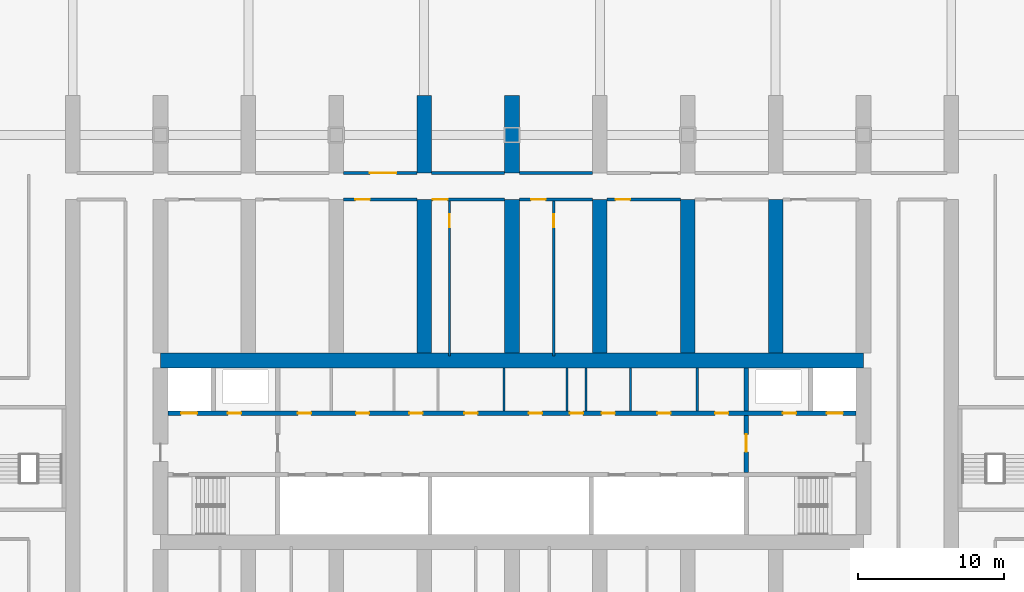
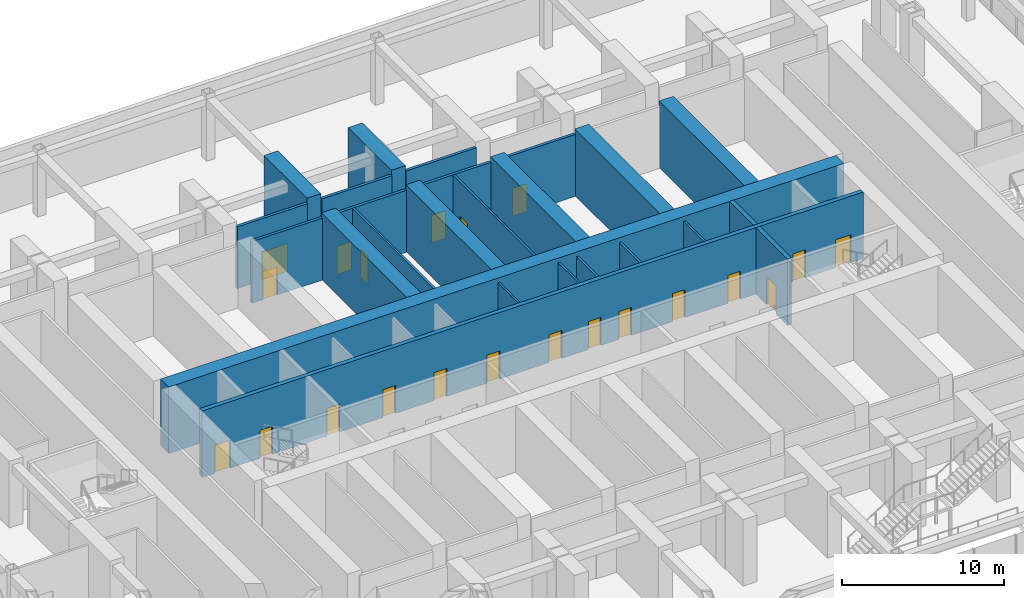
# One storey, part 17 of 37: 25 walls, 21 doors, 21 openings.
"""IFC4 building model written with IfcOpenShell, lengths in metres."""

import ifcopenshell
import ifcopenshell.guid

model = None  # the IFC model being written
_history = None  # IfcOwnerHistory: only IFC2X3 demands one
_inside = {}  # id of a spatial element -> (the spatial element, [elements in it])
_under = {}  # id of a project, library or spatial element -> (it, [spatial elements below it])
_declared = {}  # id of a project -> (the project, [libraries it declares])
_typed = {}  # id of a type object -> (the type object, [elements of that type])
_made_of = {}  # id of a material, layer set ... -> (it, [elements and type objects made of it])


def new_model(schema):
    """Start an empty IFC model of exactly this schema.

    Asked for "IFC4X3", IfcOpenShell would pick the latest addendum, in which some entities
    have other attributes; the version numbers below select the first issue.
    IFC2X3 requires an IfcOwnerHistory on every rooted entity: one is made here for all.
    """
    global model, _history
    if schema == "IFC4X3":
        model = ifcopenshell.file(schema_version=(4, 3, 0, 0))
    else:
        model = ifcopenshell.file(schema=schema)
    _inside.clear()
    _under.clear()
    _declared.clear()
    _typed.clear()
    _made_of.clear()
    _history = None
    if model.schema == "IFC2X3":
        org = make("IfcOrganization", Name="unknown")
        user = make(
            "IfcPersonAndOrganization",
            ThePerson=make("IfcPerson", FamilyName="unknown"),
            TheOrganization=org,
        )
        app = make(
            "IfcApplication",
            ApplicationDeveloper=org,
            Version="unknown",
            ApplicationFullName="unknown",
            ApplicationIdentifier="unknown",
        )
        _history = make(
            "IfcOwnerHistory",
            OwningUser=user,
            OwningApplication=app,
            ChangeAction="ADDED",
            CreationDate=0,
        )
    return model


def make(cls, **values):
    """One entity of the class cls with the attributes given. An attribute that is None is left unset."""
    return model.create_entity(
        cls, **{name: value for name, value in values.items() if value is not None}
    )


def rooted(cls, **values):
    """An entity with a GlobalId (a new one), such as an element, a storey or a relation."""
    return make(cls, GlobalId=ifcopenshell.guid.new(), OwnerHistory=_history, **values)


def si_unit(unit_type, name, prefix=None):
    """IfcSIUnit, for example si_unit("LENGTHUNIT", "METRE", prefix="MILLI")."""
    return make("IfcSIUnit", UnitType=unit_type, Prefix=prefix, Name=name)


def assignment(units):
    """IfcUnitAssignment: the units of a project."""
    return None if units is None else make("IfcUnitAssignment", Units=units)


def point(xyz):
    """IfcCartesianPoint."""
    return None if xyz is None else make("IfcCartesianPoint", Coordinates=xyz)


def direction(xyz):
    """IfcDirection."""
    return None if xyz is None else make("IfcDirection", DirectionRatios=xyz)


def frame(location, z_axis=None, x_axis=None):
    """IfcAxis2Placement3D, a coordinate frame: its origin and axes. An axis left out is left unset."""
    return make(
        "IfcAxis2Placement3D",
        Location=point(location),
        Axis=direction(z_axis),
        RefDirection=direction(x_axis),
    )


def frame_2d(location, x_axis=None):
    """IfcAxis2Placement2D, a coordinate frame in the plane: its origin and x axis."""
    return make(
        "IfcAxis2Placement2D", Location=point(location), RefDirection=direction(x_axis)
    )


def origin():
    """The frame at (0, 0, 0) with its axes left unset."""
    return frame((0.0, 0.0, 0.0))


def place(relative_to, where):
    """IfcLocalPlacement: puts the frame where relative to a parent placement (None: the world)."""
    return make(
        "IfcLocalPlacement", PlacementRelTo=relative_to, RelativePlacement=where
    )


def context(
    kind, dimensions, precision=None, world=None, true_north=None, identifier=None
):
    """IfcGeometricRepresentationContext, for example the 3D "Model" context."""
    return make(
        "IfcGeometricRepresentationContext",
        ContextIdentifier=identifier,
        ContextType=kind,
        CoordinateSpaceDimension=dimensions,
        Precision=precision,
        WorldCoordinateSystem=world,
        TrueNorth=true_north,
    )


def subcontext(parent, identifier, kind, view, scale=None):
    """IfcGeometricRepresentationSubContext, for example "Body" below "Model"."""
    return make(
        "IfcGeometricRepresentationSubContext",
        ContextIdentifier=identifier,
        ContextType=kind,
        ParentContext=parent,
        TargetScale=scale,
        TargetView=view,
    )


def project(units=None, contexts=None):
    """IfcProject with its units and contexts."""
    return rooted(
        "IfcProject",
        Name="project",
        RepresentationContexts=contexts,
        UnitsInContext=assignment(units),
    )


def spatial(cls, under=None, at=None, **own):
    """A site, building, storey or space (cls), placed at a placement, below another one or the project."""
    s = rooted(cls, ObjectPlacement=at, **own)
    if under is not None:
        _under.setdefault(under.id(), (under, []))[1].append(s)
    return s


def profile(cls, at=None, kind="AREA", **sizes):
    """A parametric profile (cls). Its sizes go by their IFC names, for example OverallWidth=200.0."""
    return make(cls, ProfileType=kind, Position=at, **sizes)


def rectangle(**sizes):
    """IfcRectangleProfileDef."""
    return profile("IfcRectangleProfileDef", **sizes)


def extrude(swept, where, along, depth):
    """IfcExtrudedAreaSolid: the profile swept, set in the frame where, extruded along a direction by depth."""
    return make(
        "IfcExtrudedAreaSolid",
        SweptArea=swept,
        Position=where,
        ExtrudedDirection=direction(along),
        Depth=depth,
    )


def shape(context_of_items, identifier, shape_type, items):
    """IfcShapeRepresentation: the items that make up one representation, for example the "Body"."""
    return make(
        "IfcShapeRepresentation",
        ContextOfItems=context_of_items,
        RepresentationIdentifier=identifier,
        RepresentationType=shape_type,
        Items=items,
    )


def material(Name=None, Category=None):
    """IfcMaterial."""
    return make("IfcMaterial", Name=Name, Category=Category)


def layer(
    of_material, thickness, ventilated=None, Name=None, Category=None, Priority=None
):
    """IfcMaterialLayer: one layer of a wall or slab, of a material (None: an air gap)."""
    return make(
        "IfcMaterialLayer",
        Material=of_material,
        LayerThickness=thickness,
        IsVentilated=ventilated,
        Name=Name,
        Category=Category,
        Priority=Priority,
    )


def layer_set(layers, Name=None):
    """IfcMaterialLayerSet."""
    return make("IfcMaterialLayerSet", MaterialLayers=layers, LayerSetName=Name)


def made_of(thing, what):
    """Note that an element or type object is made of a material, layer set ...; save() writes the relation."""
    if what is not None:
        _made_of.setdefault(what.id(), (what, []))[1].append(thing)
    return thing


def type_object(cls, material=None, **own):
    """A type object (cls), such as IfcWallType, which elements share."""
    return made_of(rooted(cls, **own), material)


def element(
    cls,
    number,
    at=None,
    inside=None,
    cuts=None,
    type_object=None,
    material=None,
    context=None,
    identifier="Body",
    shape_type=None,
    held_by="IfcProductDefinitionShape",
    body=None,
    shapes=None,
    **own,
):
    """One element of the class cls, such as IfcWall. Its Tag is "e" and its number.

    at: its placement. inside: the storey or other place that contains it. cuts: it is an
    opening in that element (IfcRelVoidsElement). A single representation is given by context,
    identifier, shape_type and body (its items); several are given by shapes. held_by: the class
    of the entity that holds the representations. save() writes the other relations.
    """
    e = rooted(cls, Tag="e%d" % number, ObjectPlacement=at, **own)
    if body is not None:
        shapes = [shape(context, identifier, shape_type, body)]
    if shapes is not None:
        e.Representation = make(held_by, Representations=shapes)
    if inside is not None:
        _inside.setdefault(inside.id(), (inside, []))[1].append(e)
    if cuts is not None:
        rooted(
            "IfcRelVoidsElement", RelatingBuildingElement=cuts, RelatedOpeningElement=e
        )
    if type_object is not None:
        _typed.setdefault(type_object.id(), (type_object, []))[1].append(e)
    return made_of(e, material)


def fill(opening, filler):
    """IfcRelFillsElement: the door or window that sits in an opening."""
    return rooted(
        "IfcRelFillsElement",
        RelatingOpeningElement=opening,
        RelatedBuildingElement=filler,
    )


def aggregate(whole, parts):
    """IfcRelAggregates: a whole, such as a stair, and the parts it consists of."""
    return rooted("IfcRelAggregates", RelatingObject=whole, RelatedObjects=parts)


def save(model, path):
    """Write the relations noted so far, then the file.

    IfcRelAggregates (storeys below a building ...), IfcRelContainedInSpatialStructure (elements
    in a storey), IfcRelDefinesByType, IfcRelAssociatesMaterial and IfcRelDeclares: one each for
    every whole, place, type object, material and project.
    """
    for whole, parts in _under.values():
        aggregate(whole, parts)
    for where, things in _inside.values():
        rooted(
            "IfcRelContainedInSpatialStructure",
            RelatedElements=things,
            RelatingStructure=where,
        )
    for kind, things in _typed.values():
        rooted("IfcRelDefinesByType", RelatedObjects=things, RelatingType=kind)
    for what, things in _made_of.values():
        rooted("IfcRelAssociatesMaterial", RelatedObjects=things, RelatingMaterial=what)
    for by, libraries in _declared.values():
        rooted("IfcRelDeclares", RelatingContext=by, RelatedDefinitions=libraries)
    model.write(path)


model = new_model("IFC4")

# Units and contexts
model_context = context("Model", 3, precision=1e-05, world=origin(), true_north=direction((0.0, 1.0)))
body_context = subcontext(model_context, "Body", "Model", "MODEL_VIEW")
ifc_project = project(units=[si_unit("LENGTHUNIT", "METRE"), si_unit("AREAUNIT", "SQUARE_METRE"), si_unit("VOLUMEUNIT", "CUBIC_METRE"), si_unit("PLANEANGLEUNIT", "RADIAN"), si_unit("MASSUNIT", "GRAM", prefix="KILO")], contexts=[model_context])

# Site, building, storey
site_placement = place(None, origin())
site = spatial("IfcSite", under=ifc_project, at=site_placement, CompositionType="ELEMENT")
building_placement = place(site_placement, origin())
building = spatial("IfcBuilding", under=site, at=building_placement, Name="Orbita Commons", CompositionType="ELEMENT")
storey_placement = place(building_placement, frame((0.0, 0.0, 6.0)))
storey = spatial("IfcBuildingStorey", under=building, at=storey_placement, Name="L01", CompositionType="ELEMENT", Elevation=6.0)

# Wall, openings, doors
ifc_material_1 = material(Name="Concrete C50/60", Category="concrete")
ifc_layer_1 = layer(ifc_material_1, 0.300048828125)
ifc_layer_set_1 = layer_set([ifc_layer_1], Name="Concrete C50/60")
wall_type_1 = type_object("IfcWallType", Name="Core inner wall 300 C50/60", PredefinedType="SHEAR", material=ifc_layer_set_1)
wall_1_placement = place(storey_placement, frame((18.5, 34.60009765625, 0.0), z_axis=(0.0, 0.0, 1.0), x_axis=(1.0, 0.0, 0.0)))
wall_1 = element("IfcWall", 1, at=wall_1_placement, inside=storey, type_object=wall_type_1, Name="Lobby wall north L01", PredefinedType="SHEAR", context=body_context, shape_type="SweptSolid", body=[
    extrude(rectangle(XDim=47.0, YDim=0.300048828125, at=frame_2d((23.5, 0.0))), origin(), (0.0, 0.0, 1.0), 5.0),
])
opening_1_placement = place(wall_1_placement, frame((0.89990234375, 0.0, 0.0)))
opening_1 = element("IfcOpeningElement", 2, at=opening_1_placement, cuts=wall_1, Name="Opening LD01", PredefinedType="OPENING", context=body_context, shape_type="SweptSolid", body=[
    extrude(rectangle(XDim=1.10009765625, YDim=2.10009765625, at=frame_2d((0.550048828125, 1.050048828125))), frame((0.0, 0.159912109375, 0.0), z_axis=(0.0, -1.0, 0.0), x_axis=(1.0, 0.0, 0.0)), (0.0, 0.0, 1.0), 0.320068359375),
])
opening_2_placement = place(wall_1_placement, frame((45.0, 0.0, 0.0)))
opening_2 = element("IfcOpeningElement", 3, at=opening_2_placement, cuts=wall_1, Name="Opening LD01", PredefinedType="OPENING", context=body_context, shape_type="SweptSolid", body=[
    extrude(rectangle(XDim=1.10009765625, YDim=2.10009765625, at=frame_2d((0.550048828125, 1.050048828125))), frame((0.0, 0.159912109375, 0.0), z_axis=(0.0, -1.0, 0.0), x_axis=(1.0, 0.0, 0.0)), (0.0, 0.0, 1.0), 0.320068359375),
])
opening_3_placement = place(wall_1_placement, frame((4.10009765625, 0.0, 0.0)))
opening_3 = element("IfcOpeningElement", 4, at=opening_3_placement, cuts=wall_1, Name="Opening D03", PredefinedType="OPENING", context=body_context, shape_type="SweptSolid", body=[
    extrude(rectangle(XDim=0.89990234375, YDim=2.10009765625, at=frame_2d((0.449951171875, 1.050048828125))), frame((0.0, 0.159912109375, 0.0), z_axis=(0.0, -1.0, 0.0), x_axis=(1.0, 0.0, 0.0)), (0.0, 0.0, 1.0), 0.320068359375),
])
opening_4_placement = place(wall_1_placement, frame((42.0, 0.0, 0.0)))
opening_4 = element("IfcOpeningElement", 5, at=opening_4_placement, cuts=wall_1, Name="Opening D03", PredefinedType="OPENING", context=body_context, shape_type="SweptSolid", body=[
    extrude(rectangle(XDim=0.89990234375, YDim=2.10009765625, at=frame_2d((0.449951171875, 1.050048828125))), frame((0.0, 0.159912109375, 0.0), z_axis=(0.0, -1.0, 0.0), x_axis=(1.0, 0.0, 0.0)), (0.0, 0.0, 1.0), 0.320068359375),
])
opening_5_placement = place(wall_1_placement, frame((8.87548828125, 0.0, 0.0)))
opening_5 = element("IfcOpeningElement", 6, at=opening_5_placement, cuts=wall_1, Name="Opening D03", PredefinedType="OPENING", context=body_context, shape_type="SweptSolid", body=[
    extrude(rectangle(XDim=0.89990234375, YDim=2.10009765625, at=frame_2d((0.449951171875, 1.050048828125))), frame((0.0, 0.159912109375, 0.0), z_axis=(0.0, -1.0, 0.0), x_axis=(1.0, 0.0, 0.0)), (0.0, 0.0, 1.0), 0.320068359375),
])
opening_6_placement = place(wall_1_placement, frame((12.8486328125, 0.0, 0.0)))
opening_6 = element("IfcOpeningElement", 7, at=opening_6_placement, cuts=wall_1, Name="Opening D03", PredefinedType="OPENING", context=body_context, shape_type="SweptSolid", body=[
    extrude(rectangle(XDim=0.89990234375, YDim=2.10009765625, at=frame_2d((0.449951171875, 1.050048828125))), frame((0.0, 0.159912109375, 0.0), z_axis=(0.0, -1.0, 0.0), x_axis=(1.0, 0.0, 0.0)), (0.0, 0.0, 1.0), 0.320068359375),
])
opening_7_placement = place(wall_1_placement, frame((16.496337890625, 0.0, 0.0)))
opening_7 = element("IfcOpeningElement", 8, at=opening_7_placement, cuts=wall_1, Name="Opening D03", PredefinedType="OPENING", context=body_context, shape_type="SweptSolid", body=[
    extrude(rectangle(XDim=0.89990234375, YDim=2.10009765625, at=frame_2d((0.449951171875, 1.050048828125))), frame((0.0, 0.159912109375, 0.0), z_axis=(0.0, -1.0, 0.0), x_axis=(1.0, 0.0, 0.0)), (0.0, 0.0, 1.0), 0.320068359375),
])
opening_8_placement = place(wall_1_placement, frame((20.254638671875, 0.0, 0.0)))
opening_8 = element("IfcOpeningElement", 9, at=opening_8_placement, cuts=wall_1, Name="Opening D05", PredefinedType="OPENING", context=body_context, shape_type="SweptSolid", body=[
    extrude(rectangle(XDim=0.89990234375, YDim=2.10009765625, at=frame_2d((0.449951171875, 1.050048828125))), frame((0.0, 0.159912109375, 0.0), z_axis=(0.0, -1.0, 0.0), x_axis=(1.0, 0.0, 0.0)), (0.0, 0.0, 1.0), 0.320068359375),
])
opening_9_placement = place(wall_1_placement, frame((24.66064453125, 0.0, 0.0)))
opening_9 = element("IfcOpeningElement", 10, at=opening_9_placement, cuts=wall_1, Name="Opening D03", PredefinedType="OPENING", context=body_context, shape_type="SweptSolid", body=[
    extrude(rectangle(XDim=0.89990234375, YDim=2.10009765625, at=frame_2d((0.449951171875, 1.050048828125))), frame((0.0, 0.159912109375, 0.0), z_axis=(0.0, -1.0, 0.0), x_axis=(1.0, 0.0, 0.0)), (0.0, 0.0, 1.0), 0.320068359375),
])
opening_10_placement = place(wall_1_placement, frame((27.45849609375, 0.0, 0.0)))
opening_10 = element("IfcOpeningElement", 11, at=opening_10_placement, cuts=wall_1, Name="Opening D03", PredefinedType="OPENING", context=body_context, shape_type="SweptSolid", body=[
    extrude(rectangle(XDim=0.89990234375, YDim=2.10009765625, at=frame_2d((0.449951171875, 1.050048828125))), frame((0.0, 0.159912109375, 0.0), z_axis=(0.0, -1.0, 0.0), x_axis=(1.0, 0.0, 0.0)), (0.0, 0.0, 1.0), 0.320068359375),
])
opening_11_placement = place(wall_1_placement, frame((29.628173828125, 0.0, 0.0)))
opening_11 = element("IfcOpeningElement", 12, at=opening_11_placement, cuts=wall_1, Name="Opening D05", PredefinedType="OPENING", context=body_context, shape_type="SweptSolid", body=[
    extrude(rectangle(XDim=0.89990234375, YDim=2.10009765625, at=frame_2d((0.449951171875, 1.050048828125))), frame((0.0, 0.159912109375, 0.0), z_axis=(0.0, -1.0, 0.0), x_axis=(1.0, 0.0, 0.0)), (0.0, 0.0, 1.0), 0.320068359375),
])
opening_12_placement = place(wall_1_placement, frame((33.42724609375, 0.0, 0.0)))
opening_12 = element("IfcOpeningElement", 13, at=opening_12_placement, cuts=wall_1, Name="Opening D05", PredefinedType="OPENING", context=body_context, shape_type="SweptSolid", body=[
    extrude(rectangle(XDim=0.89990234375, YDim=2.10009765625, at=frame_2d((0.449951171875, 1.050048828125))), frame((0.0, 0.159912109375, 0.0), z_axis=(0.0, -1.0, 0.0), x_axis=(1.0, 0.0, 0.0)), (0.0, 0.0, 1.0), 0.320068359375),
])
opening_13_placement = place(wall_1_placement, frame((37.37841796875, 0.0, 0.0)))
opening_13 = element("IfcOpeningElement", 14, at=opening_13_placement, cuts=wall_1, Name="Opening D03", PredefinedType="OPENING", context=body_context, shape_type="SweptSolid", body=[
    extrude(rectangle(XDim=0.89990234375, YDim=2.10009765625, at=frame_2d((0.449951171875, 1.050048828125))), frame((0.0, 0.159912109375, 0.0), z_axis=(0.0, -1.0, 0.0), x_axis=(1.0, 0.0, 0.0)), (0.0, 0.0, 1.0), 0.320068359375),
])
ifc_material_2 = material(Name="Steel-faced fire door leaf", Category="steel")
door_type_1 = type_object("IfcDoorType", Name="Firefighting lift landing door 1100x2100", OperationType="DOUBLE_DOOR_SLIDING", PredefinedType="DOOR", material=ifc_material_2)
door_1_placement = place(opening_1_placement, origin())
door_1 = element("IfcDoor", 15, at=door_1_placement, inside=storey, type_object=door_type_1, Name="Firefighting lift FL1 landing door", OperationType="DOUBLE_DOOR_SLIDING", OverallHeight=2.10009765625, OverallWidth=1.10009765625, PredefinedType="DOOR", context=body_context, shape_type="SweptSolid", body=[
    extrude(rectangle(XDim=1.10009765625, YDim=2.10009765625, at=frame_2d((0.550048828125, 1.050048828125))), frame((0.0, 0.02490234375, 0.0), z_axis=(0.0, -1.0, 0.0), x_axis=(1.0, 0.0, 0.0)), (0.0, 0.0, 1.0), 0.050048828125),
])
fill(opening_1, door_1)
door_2_placement = place(opening_2_placement, origin())
door_2 = element("IfcDoor", 16, at=door_2_placement, inside=storey, type_object=door_type_1, Name="Firefighting lift FL2 landing door", OperationType="DOUBLE_DOOR_SLIDING", OverallHeight=2.10009765625, OverallWidth=1.10009765625, PredefinedType="DOOR", context=body_context, shape_type="SweptSolid", body=[
    extrude(rectangle(XDim=1.10009765625, YDim=2.10009765625, at=frame_2d((0.550048828125, 1.050048828125))), frame((0.0, 0.02490234375, 0.0), z_axis=(0.0, -1.0, 0.0), x_axis=(1.0, 0.0, 0.0)), (0.0, 0.0, 1.0), 0.050048828125),
])
fill(opening_2, door_2)
ifc_material_3 = material(Name="Steel-faced fire door leaf", Category="steel")
door_type_2 = type_object("IfcDoorType", Name="Service door 20 min 900x2100", OperationType="SINGLE_SWING_LEFT", PredefinedType="DOOR", material=ifc_material_3)
door_3_placement = place(opening_8_placement, origin())
door_3 = element("IfcDoor", 17, at=door_3_placement, inside=storey, type_object=door_type_2, Name="Accessible WC door", OperationType="SINGLE_SWING_LEFT", OverallHeight=2.10009765625, OverallWidth=0.89990234375, PredefinedType="DOOR", context=body_context, shape_type="SweptSolid", body=[
    extrude(rectangle(XDim=0.89990234375, YDim=2.10009765625, at=frame_2d((0.449951171875, 1.050048828125))), frame((0.0, 0.02490234375, 0.0), z_axis=(0.0, -1.0, 0.0), x_axis=(1.0, 0.0, 0.0)), (0.0, 0.0, 1.0), 0.050048828125),
])
fill(opening_8, door_3)
door_4_placement = place(opening_11_placement, origin())
door_4 = element("IfcDoor", 18, at=door_4_placement, inside=storey, type_object=door_type_2, Name="Staff WC door", OperationType="SINGLE_SWING_LEFT", OverallHeight=2.10009765625, OverallWidth=0.89990234375, PredefinedType="DOOR", context=body_context, shape_type="SweptSolid", body=[
    extrude(rectangle(XDim=0.89990234375, YDim=2.10009765625, at=frame_2d((0.449951171875, 1.050048828125))), frame((0.0, 0.02490234375, 0.0), z_axis=(0.0, -1.0, 0.0), x_axis=(1.0, 0.0, 0.0)), (0.0, 0.0, 1.0), 0.050048828125),
])
fill(opening_11, door_4)
door_5_placement = place(opening_12_placement, origin())
door_5 = element("IfcDoor", 19, at=door_5_placement, inside=storey, type_object=door_type_2, Name="Vending and ice room door", OperationType="SINGLE_SWING_LEFT", OverallHeight=2.10009765625, OverallWidth=0.89990234375, PredefinedType="DOOR", context=body_context, shape_type="SweptSolid", body=[
    extrude(rectangle(XDim=0.89990234375, YDim=2.10009765625, at=frame_2d((0.449951171875, 1.050048828125))), frame((0.0, 0.02490234375, 0.0), z_axis=(0.0, -1.0, 0.0), x_axis=(1.0, 0.0, 0.0)), (0.0, 0.0, 1.0), 0.050048828125),
])
fill(opening_12, door_5)
ifc_material_4 = material(Name="Steel-faced fire door leaf", Category="steel")
door_type_3 = type_object("IfcDoorType", Name="Shaft access door 90 min 900x2100", OperationType="SINGLE_SWING_LEFT", PredefinedType="DOOR", material=ifc_material_4)
door_6_placement = place(opening_3_placement, origin())
door_6 = element("IfcDoor", 20, at=door_6_placement, inside=storey, type_object=door_type_3, Name="Riser door west", OperationType="SINGLE_SWING_LEFT", OverallHeight=2.10009765625, OverallWidth=0.89990234375, PredefinedType="DOOR", context=body_context, shape_type="SweptSolid", body=[
    extrude(rectangle(XDim=0.89990234375, YDim=2.10009765625, at=frame_2d((0.449951171875, 1.050048828125))), frame((0.0, 0.02490234375, 0.0), z_axis=(0.0, -1.0, 0.0), x_axis=(1.0, 0.0, 0.0)), (0.0, 0.0, 1.0), 0.050048828125),
])
fill(opening_3, door_6)
door_7_placement = place(opening_4_placement, origin())
door_7 = element("IfcDoor", 21, at=door_7_placement, inside=storey, type_object=door_type_3, Name="Riser door east", OperationType="SINGLE_SWING_LEFT", OverallHeight=2.10009765625, OverallWidth=0.89990234375, PredefinedType="DOOR", context=body_context, shape_type="SweptSolid", body=[
    extrude(rectangle(XDim=0.89990234375, YDim=2.10009765625, at=frame_2d((0.449951171875, 1.050048828125))), frame((0.0, 0.02490234375, 0.0), z_axis=(0.0, -1.0, 0.0), x_axis=(1.0, 0.0, 0.0)), (0.0, 0.0, 1.0), 0.050048828125),
])
fill(opening_4, door_7)
door_8_placement = place(opening_5_placement, origin())
door_8 = element("IfcDoor", 22, at=door_8_placement, inside=storey, type_object=door_type_3, Name="Cleaners store door", OperationType="SINGLE_SWING_LEFT", OverallHeight=2.10009765625, OverallWidth=0.89990234375, PredefinedType="DOOR", context=body_context, shape_type="SweptSolid", body=[
    extrude(rectangle(XDim=0.89990234375, YDim=2.10009765625, at=frame_2d((0.449951171875, 1.050048828125))), frame((0.0, 0.02490234375, 0.0), z_axis=(0.0, -1.0, 0.0), x_axis=(1.0, 0.0, 0.0)), (0.0, 0.0, 1.0), 0.050048828125),
])
fill(opening_5, door_8)
door_9_placement = place(opening_6_placement, origin())
door_9 = element("IfcDoor", 23, at=door_9_placement, inside=storey, type_object=door_type_3, Name="Refuse chute room door", OperationType="SINGLE_SWING_LEFT", OverallHeight=2.10009765625, OverallWidth=0.89990234375, PredefinedType="DOOR", context=body_context, shape_type="SweptSolid", body=[
    extrude(rectangle(XDim=0.89990234375, YDim=2.10009765625, at=frame_2d((0.449951171875, 1.050048828125))), frame((0.0, 0.02490234375, 0.0), z_axis=(0.0, -1.0, 0.0), x_axis=(1.0, 0.0, 0.0)), (0.0, 0.0, 1.0), 0.050048828125),
])
fill(opening_6, door_9)
door_10_placement = place(opening_7_placement, origin())
door_10 = element("IfcDoor", 24, at=door_10_placement, inside=storey, type_object=door_type_3, Name="Electrical riser room door", OperationType="SINGLE_SWING_LEFT", OverallHeight=2.10009765625, OverallWidth=0.89990234375, PredefinedType="DOOR", context=body_context, shape_type="SweptSolid", body=[
    extrude(rectangle(XDim=0.89990234375, YDim=2.10009765625, at=frame_2d((0.449951171875, 1.050048828125))), frame((0.0, 0.02490234375, 0.0), z_axis=(0.0, -1.0, 0.0), x_axis=(1.0, 0.0, 0.0)), (0.0, 0.0, 1.0), 0.050048828125),
])
fill(opening_7, door_10)
door_11_placement = place(opening_9_placement, origin())
door_11 = element("IfcDoor", 25, at=door_11_placement, inside=storey, type_object=door_type_3, Name="Communications room door", OperationType="SINGLE_SWING_LEFT", OverallHeight=2.10009765625, OverallWidth=0.89990234375, PredefinedType="DOOR", context=body_context, shape_type="SweptSolid", body=[
    extrude(rectangle(XDim=0.89990234375, YDim=2.10009765625, at=frame_2d((0.449951171875, 1.050048828125))), frame((0.0, 0.02490234375, 0.0), z_axis=(0.0, -1.0, 0.0), x_axis=(1.0, 0.0, 0.0)), (0.0, 0.0, 1.0), 0.050048828125),
])
fill(opening_9, door_11)
door_12_placement = place(opening_10_placement, origin())
door_12 = element("IfcDoor", 26, at=door_12_placement, inside=storey, type_object=door_type_3, Name="Stair pressurisation duct door", OperationType="SINGLE_SWING_LEFT", OverallHeight=2.10009765625, OverallWidth=0.89990234375, PredefinedType="DOOR", context=body_context, shape_type="SweptSolid", body=[
    extrude(rectangle(XDim=0.89990234375, YDim=2.10009765625, at=frame_2d((0.449951171875, 1.050048828125))), frame((0.0, 0.02490234375, 0.0), z_axis=(0.0, -1.0, 0.0), x_axis=(1.0, 0.0, 0.0)), (0.0, 0.0, 1.0), 0.050048828125),
])
fill(opening_10, door_12)
door_13_placement = place(opening_13_placement, origin())
door_13 = element("IfcDoor", 27, at=door_13_placement, inside=storey, type_object=door_type_3, Name="Housekeeping store door", OperationType="SINGLE_SWING_LEFT", OverallHeight=2.10009765625, OverallWidth=0.89990234375, PredefinedType="DOOR", context=body_context, shape_type="SweptSolid", body=[
    extrude(rectangle(XDim=0.89990234375, YDim=2.10009765625, at=frame_2d((0.449951171875, 1.050048828125))), frame((0.0, 0.02490234375, 0.0), z_axis=(0.0, -1.0, 0.0), x_axis=(1.0, 0.0, 0.0)), (0.0, 0.0, 1.0), 0.050048828125),
])
fill(opening_13, door_13)

# Wall, opening, door
wall_2_placement = place(storey_placement, frame((58.0, 30.550048828125, 0.0), z_axis=(0.0, 0.0, 1.0), x_axis=(0.0, 1.0, 0.0)))
wall_2 = element("IfcWall", 28, at=wall_2_placement, inside=storey, type_object=wall_type_1, Name="Firefighting lobby wall east L01", PredefinedType="SHEAR", context=body_context, shape_type="SweptSolid", body=[
    extrude(rectangle(XDim=3.89990234375, YDim=0.300048828125, at=frame_2d((1.949951171875, 0.0))), origin(), (0.0, 0.0, 1.0), 5.0),
])
opening_14_placement = place(wall_2_placement, frame((1.39990234375, 0.0, 0.0)))
opening_14 = element("IfcOpeningElement", 29, at=opening_14_placement, cuts=wall_2, Name="Opening D04", PredefinedType="OPENING", context=body_context, shape_type="SweptSolid", body=[
    extrude(rectangle(XDim=1.199951171875, YDim=2.10009765625, at=frame_2d((0.60009765625, 1.050048828125))), frame((0.0, 0.159912109375, 0.0), z_axis=(0.0, -1.0, 0.0), x_axis=(1.0, 0.0, 0.0)), (0.0, 0.0, 1.0), 0.320068359375),
])
ifc_material_5 = material(Name="Steel-faced fire door leaf", Category="steel")
door_type_4 = type_object("IfcDoorType", Name="Service door 20 min 1200x2100", OperationType="SINGLE_SWING_LEFT", PredefinedType="DOOR", material=ifc_material_5)
door_14_placement = place(opening_14_placement, origin())
door_14 = element("IfcDoor", 30, at=door_14_placement, inside=storey, type_object=door_type_4, Name="Lift lobby door east", OperationType="SINGLE_SWING_LEFT", OverallHeight=2.10009765625, OverallWidth=1.199951171875, PredefinedType="DOOR", context=body_context, shape_type="SweptSolid", body=[
    extrude(rectangle(XDim=1.199951171875, YDim=2.10009765625, at=frame_2d((0.60009765625, 1.050048828125))), frame((0.0, 0.02490234375, 0.0), z_axis=(0.0, -1.0, 0.0), x_axis=(1.0, 0.0, 0.0)), (0.0, 0.0, 1.0), 0.050048828125),
])
fill(opening_14, door_14)

# Walls
wall_3_placement = place(storey_placement, frame((58.0, 34.75, 0.0), z_axis=(0.0, 0.0, 1.0), x_axis=(0.0, 1.0, 0.0)))
element("IfcWall", 31, at=wall_3_placement, inside=storey, type_object=wall_type_1, Name="Riser wall east L01", PredefinedType="SHEAR", context=body_context, shape_type="SweptSolid", body=[
    extrude(rectangle(XDim=2.949951171875, YDim=0.300048828125, at=frame_2d((1.47509765625, 0.0))), origin(), (0.0, 0.0, 1.0), 5.0),
])
ifc_material_6 = material(Name="Concrete blockwork", Category="masonry")
ifc_layer_2 = layer(ifc_material_6, 0.14990234375)
ifc_layer_set_2 = layer_set([ifc_layer_2], Name="Concrete blockwork")
wall_type_2 = type_object("IfcWallType", Name="Core partition 150 blockwork", PredefinedType="SOLIDWALL", material=ifc_layer_set_2)
for number, where, z_axis, x_axis, name in (
    (32, (41.463134765625, 34.75, 0.0), (0.0, 0.0, 1.0), (0.0, 1.0, 0.0), "Core partition 150 blockwork L01"),
    (33, (45.75830078125, 34.75, 0.0), (0.0, 0.0, 1.0), (0.0, 1.0, 0.0), "Core partition 150 blockwork L01"),
    (34, (47.058349609375, 34.75, 0.0), (0.0, 0.0, 1.0), (0.0, 1.0, 0.0), "Core partition 150 blockwork L01"),
    (35, (50.09765625, 34.75, 0.0), (0.0, 0.0, 1.0), (0.0, 1.0, 0.0), "Core partition 150 blockwork L01"),
    (36, (54.65673828125, 34.75, 0.0), (0.0, 0.0, 1.0), (0.0, 1.0, 0.0), "Core partition 150 blockwork L01"),
):
    element("IfcWall", number, at=place(storey_placement, frame(where, z_axis=z_axis, x_axis=x_axis)), inside=storey, type_object=wall_type_2, Name=name, PredefinedType="SOLIDWALL", context=body_context, shape_type="SweptSolid", body=[
        extrude(rectangle(XDim=2.949951171875, YDim=0.14990234375, at=frame_2d((1.47509765625, 0.0))), origin(), (0.0, 0.0, 1.0), 4.64990234375),
    ])
ifc_material_7 = material(Name="Concrete C50/60", Category="concrete")
ifc_layer_3 = layer(ifc_material_7, 1.0)
ifc_layer_set_3 = layer_set([ifc_layer_3], Name="Concrete C50/60")
wall_type_3 = type_object("IfcWallType", Name="Core wall 1000 C50/60", PredefinedType="SHEAR", material=ifc_layer_set_3)
wall_4_placement = place(storey_placement, frame((18.0, 38.199951171875, 0.0), z_axis=(0.0, 0.0, 1.0), x_axis=(1.0, 0.0, 0.0)))
element("IfcWall", 37, at=wall_4_placement, inside=storey, type_object=wall_type_3, Name="Core spine wall north L01", PredefinedType="SHEAR", context=body_context, shape_type="SweptSolid", body=[
    extrude(rectangle(XDim=48.0, YDim=1.0, at=frame_2d((24.0, 0.0))), origin(), (0.0, 0.0, 1.0), 5.0),
])

# Wall, opening, door
ifc_material_8 = material(Name="Concrete blockwork", Category="masonry")
ifc_layer_4 = layer(ifc_material_8, 0.199951171875)
ifc_layer_set_4 = layer_set([ifc_layer_4], Name="Concrete blockwork")
wall_type_4 = type_object("IfcWallType", Name="Corridor wall 200 blockwork", PredefinedType="SOLIDWALL", material=ifc_layer_set_4)
wall_5_placement = place(storey_placement, frame((30.5, 51.0, 0.0), z_axis=(0.0, 0.0, 1.0), x_axis=(1.0, 0.0, 0.0)))
wall_5 = element("IfcWall", 38, at=wall_5_placement, inside=storey, type_object=wall_type_4, Name="Corridor wall 200 blockwork L01", PredefinedType="SOLIDWALL", context=body_context, shape_type="SweptSolid", body=[
    extrude(rectangle(XDim=5.0, YDim=0.199951171875, at=frame_2d((2.5, 0.0))), origin(), (0.0, 0.0, 1.0), 4.64990234375),
])
opening_15_placement = place(wall_5_placement, frame((1.800048828125, 0.0, 0.0)))
opening_15 = element("IfcOpeningElement", 39, at=opening_15_placement, cuts=wall_5, Name="Opening D07", PredefinedType="OPENING", context=body_context, shape_type="SweptSolid", body=[
    extrude(rectangle(XDim=1.800048828125, YDim=2.10009765625, at=frame_2d((0.89990234375, 1.050048828125))), frame((0.0, 0.10986328125, 0.0), z_axis=(0.0, -1.0, 0.0), x_axis=(1.0, 0.0, 0.0)), (0.0, 0.0, 1.0), 0.219970703125),
])
ifc_material_9 = material(Name="Steel-faced fire door leaf", Category="steel")
door_type_5 = type_object("IfcDoorType", Name="Double corridor door 20 min 1800x2100", OperationType="DOUBLE_DOOR_SINGLE_SWING", PredefinedType="DOOR", material=ifc_material_9)
door_15_placement = place(opening_15_placement, origin())
door_15 = element("IfcDoor", 40, at=door_15_placement, inside=storey, type_object=door_type_5, Name="Hall doors north", OperationType="DOUBLE_DOOR_SINGLE_SWING", OverallHeight=2.10009765625, OverallWidth=1.800048828125, PredefinedType="DOOR", context=body_context, shape_type="SweptSolid", body=[
    extrude(rectangle(XDim=1.800048828125, YDim=2.10009765625, at=frame_2d((0.89990234375, 1.050048828125))), frame((0.0, 0.02490234375, 0.0), z_axis=(0.0, -1.0, 0.0), x_axis=(1.0, 0.0, 0.0)), (0.0, 0.0, 1.0), 0.050048828125),
])
fill(opening_15, door_15)

# Walls
for number, where, z_axis, x_axis, name in (
    (41, (36.5, 51.0, 0.0), (0.0, 0.0, 1.0), (1.0, 0.0, 0.0), "Corridor wall 200 blockwork L01"),
    (42, (42.5, 51.0, 0.0), (0.0, 0.0, 1.0), (1.0, 0.0, 0.0), "Corridor wall 200 blockwork L01"),
):
    element("IfcWall", number, at=place(storey_placement, frame(where, z_axis=z_axis, x_axis=x_axis)), inside=storey, type_object=wall_type_4, Name=name, PredefinedType="SOLIDWALL", context=body_context, shape_type="SweptSolid", body=[
        extrude(rectangle(XDim=5.0, YDim=0.199951171875, at=frame_2d((2.5, 0.0))), origin(), (0.0, 0.0, 1.0), 4.64990234375),
    ])

# Wall, opening, door
wall_6_placement = place(storey_placement, frame((30.5, 49.199951171875, 0.0), z_axis=(0.0, 0.0, 1.0), x_axis=(1.0, 0.0, 0.0)))
wall_6 = element("IfcWall", 43, at=wall_6_placement, inside=storey, type_object=wall_type_4, Name="Corridor wall 200 blockwork L01", PredefinedType="SOLIDWALL", context=body_context, shape_type="SweptSolid", body=[
    extrude(rectangle(XDim=5.0, YDim=0.199951171875, at=frame_2d((2.5, 0.0))), origin(), (0.0, 0.0, 1.0), 4.64990234375),
])
opening_16_placement = place(wall_6_placement, frame((0.800048828125, 0.0, 0.0)))
opening_16 = element("IfcOpeningElement", 44, at=opening_16_placement, cuts=wall_6, Name="Opening D06", PredefinedType="OPENING", context=body_context, shape_type="SweptSolid", body=[
    extrude(rectangle(XDim=1.0, YDim=2.10009765625, at=frame_2d((0.5, 1.050048828125))), frame((0.0, 0.10986328125, 0.0), z_axis=(0.0, -1.0, 0.0), x_axis=(1.0, 0.0, 0.0)), (0.0, 0.0, 1.0), 0.219970703125),
])
ifc_material_10 = material(Name="Steel-faced fire door leaf", Category="steel")
door_type_6 = type_object("IfcDoorType", Name="Corridor door 20 min 1000x2100", OperationType="SINGLE_SWING_LEFT", PredefinedType="DOOR", material=ifc_material_10)
door_16_placement = place(opening_16_placement, origin())
door_16 = element("IfcDoor", 45, at=door_16_placement, inside=storey, type_object=door_type_6, Name="Room door", OperationType="SINGLE_SWING_LEFT", OverallHeight=2.10009765625, OverallWidth=1.0, PredefinedType="DOOR", context=body_context, shape_type="SweptSolid", body=[
    extrude(rectangle(XDim=1.0, YDim=2.10009765625, at=frame_2d((0.5, 1.050048828125))), frame((0.0, 0.02490234375, 0.0), z_axis=(0.0, -1.0, 0.0), x_axis=(1.0, 0.0, 0.0)), (0.0, 0.0, 1.0), 0.050048828125),
])
fill(opening_16, door_16)

wall_7_placement = place(storey_placement, frame((36.5, 49.199951171875, 0.0), z_axis=(0.0, 0.0, 1.0), x_axis=(1.0, 0.0, 0.0)))
wall_7 = element("IfcWall", 46, at=wall_7_placement, inside=storey, type_object=wall_type_4, Name="Corridor wall 200 blockwork L01", PredefinedType="SOLIDWALL", context=body_context, shape_type="SweptSolid", body=[
    extrude(rectangle(XDim=5.0, YDim=0.199951171875, at=frame_2d((2.5, 0.0))), origin(), (0.0, 0.0, 1.0), 4.64990234375),
])
opening_17_placement = place(wall_7_placement, frame((0.10009765625, 0.0, 0.0)))
opening_17 = element("IfcOpeningElement", 47, at=opening_17_placement, cuts=wall_7, Name="Opening D06", PredefinedType="OPENING", context=body_context, shape_type="SweptSolid", body=[
    extrude(rectangle(XDim=1.0, YDim=2.10009765625, at=frame_2d((0.5, 1.050048828125))), frame((0.0, 0.10986328125, 0.0), z_axis=(0.0, -1.0, 0.0), x_axis=(1.0, 0.0, 0.0)), (0.0, 0.0, 1.0), 0.219970703125),
])
door_17_placement = place(opening_17_placement, origin())
door_17 = element("IfcDoor", 48, at=door_17_placement, inside=storey, type_object=door_type_6, Name="Room door", OperationType="SINGLE_SWING_LEFT", OverallHeight=2.10009765625, OverallWidth=1.0, PredefinedType="DOOR", context=body_context, shape_type="SweptSolid", body=[
    extrude(rectangle(XDim=1.0, YDim=2.10009765625, at=frame_2d((0.5, 1.050048828125))), frame((0.0, 0.02490234375, 0.0), z_axis=(0.0, -1.0, 0.0), x_axis=(1.0, 0.0, 0.0)), (0.0, 0.0, 1.0), 0.050048828125),
])
fill(opening_17, door_17)

wall_8_placement = place(storey_placement, frame((42.5, 49.199951171875, 0.0), z_axis=(0.0, 0.0, 1.0), x_axis=(1.0, 0.0, 0.0)))
wall_8 = element("IfcWall", 49, at=wall_8_placement, inside=storey, type_object=wall_type_4, Name="Corridor wall 200 blockwork L01", PredefinedType="SOLIDWALL", context=body_context, shape_type="SweptSolid", body=[
    extrude(rectangle(XDim=5.0, YDim=0.199951171875, at=frame_2d((2.5, 0.0))), origin(), (0.0, 0.0, 1.0), 4.64990234375),
])
opening_18_placement = place(wall_8_placement, frame((0.800048828125, 0.0, 0.0)))
opening_18 = element("IfcOpeningElement", 50, at=opening_18_placement, cuts=wall_8, Name="Opening D06", PredefinedType="OPENING", context=body_context, shape_type="SweptSolid", body=[
    extrude(rectangle(XDim=1.0, YDim=2.10009765625, at=frame_2d((0.5, 1.050048828125))), frame((0.0, 0.10986328125, 0.0), z_axis=(0.0, -1.0, 0.0), x_axis=(1.0, 0.0, 0.0)), (0.0, 0.0, 1.0), 0.219970703125),
])
door_18_placement = place(opening_18_placement, origin())
door_18 = element("IfcDoor", 51, at=door_18_placement, inside=storey, type_object=door_type_6, Name="Room door", OperationType="SINGLE_SWING_LEFT", OverallHeight=2.10009765625, OverallWidth=1.0, PredefinedType="DOOR", context=body_context, shape_type="SweptSolid", body=[
    extrude(rectangle(XDim=1.0, YDim=2.10009765625, at=frame_2d((0.5, 1.050048828125))), frame((0.0, 0.02490234375, 0.0), z_axis=(0.0, -1.0, 0.0), x_axis=(1.0, 0.0, 0.0)), (0.0, 0.0, 1.0), 0.050048828125),
])
fill(opening_18, door_18)

wall_9_placement = place(storey_placement, frame((48.5, 49.199951171875, 0.0), z_axis=(0.0, 0.0, 1.0), x_axis=(1.0, 0.0, 0.0)))
wall_9 = element("IfcWall", 52, at=wall_9_placement, inside=storey, type_object=wall_type_4, Name="Corridor wall 200 blockwork L01", PredefinedType="SOLIDWALL", context=body_context, shape_type="SweptSolid", body=[
    extrude(rectangle(XDim=5.0, YDim=0.199951171875, at=frame_2d((2.5, 0.0))), origin(), (0.0, 0.0, 1.0), 4.64990234375),
])
opening_19_placement = place(wall_9_placement, frame((0.574951171875, 0.0, 0.0)))
opening_19 = element("IfcOpeningElement", 53, at=opening_19_placement, cuts=wall_9, Name="Opening D06", PredefinedType="OPENING", context=body_context, shape_type="SweptSolid", body=[
    extrude(rectangle(XDim=1.0, YDim=2.10009765625, at=frame_2d((0.5, 1.050048828125))), frame((0.0, 0.10986328125, 0.0), z_axis=(0.0, -1.0, 0.0), x_axis=(1.0, 0.0, 0.0)), (0.0, 0.0, 1.0), 0.219970703125),
])
door_19_placement = place(opening_19_placement, origin())
door_19 = element("IfcDoor", 54, at=door_19_placement, inside=storey, type_object=door_type_6, Name="Room door", OperationType="SINGLE_SWING_LEFT", OverallHeight=2.10009765625, OverallWidth=1.0, PredefinedType="DOOR", context=body_context, shape_type="SweptSolid", body=[
    extrude(rectangle(XDim=1.0, YDim=2.10009765625, at=frame_2d((0.5, 1.050048828125))), frame((0.0, 0.02490234375, 0.0), z_axis=(0.0, -1.0, 0.0), x_axis=(1.0, 0.0, 0.0)), (0.0, 0.0, 1.0), 0.050048828125),
])
fill(opening_19, door_19)

# Walls
ifc_material_11 = material(Name="Concrete C50/60", Category="concrete")
ifc_layer_5 = layer(ifc_material_11, 1.0)
ifc_layer_set_5 = layer_set([ifc_layer_5], Name="Concrete C50/60")
wall_type_5 = type_object("IfcWallType", Name="Cross wall 1000 C50/60", PredefinedType="SHEAR", material=ifc_layer_set_5)
wall_10_placement = place(storey_placement, frame((36.0, 51.0, 0.0), z_axis=(0.0, 0.0, 1.0), x_axis=(0.0, 1.0, 0.0)))
element("IfcWall", 55, at=wall_10_placement, inside=storey, type_object=wall_type_5, Name="Cross wall 7 north outer L01", PredefinedType="SHEAR", context=body_context, shape_type="SweptSolid", body=[
    extrude(rectangle(XDim=5.300048828125, YDim=1.0, at=frame_2d((2.64990234375, 0.0))), origin(), (0.0, 0.0, 1.0), 5.0),
])
wall_11_placement = place(storey_placement, frame((36.0, 38.699951171875, 0.0), z_axis=(0.0, 0.0, 1.0), x_axis=(0.0, 1.0, 0.0)))
element("IfcWall", 56, at=wall_11_placement, inside=storey, type_object=wall_type_5, Name="Cross wall 7 north inner L01", PredefinedType="SHEAR", context=body_context, shape_type="SweptSolid", body=[
    extrude(rectangle(XDim=10.5, YDim=1.0, at=frame_2d((5.25, 0.0))), origin(), (0.0, 0.0, 1.0), 5.0),
])
wall_12_placement = place(storey_placement, frame((42.0, 51.0, 0.0), z_axis=(0.0, 0.0, 1.0), x_axis=(0.0, 1.0, 0.0)))
element("IfcWall", 57, at=wall_12_placement, inside=storey, type_object=wall_type_5, Name="Cross wall 8 north outer L01", PredefinedType="SHEAR", context=body_context, shape_type="SweptSolid", body=[
    extrude(rectangle(XDim=5.300048828125, YDim=1.0, at=frame_2d((2.64990234375, 0.0))), origin(), (0.0, 0.0, 1.0), 5.0),
])
for number, where, z_axis, x_axis, name in (
    (58, (42.0, 38.699951171875, 0.0), (0.0, 0.0, 1.0), (0.0, 1.0, 0.0), "Cross wall 8 north inner L01"),
    (59, (48.0, 38.699951171875, 0.0), (0.0, 0.0, 1.0), (0.0, 1.0, 0.0), "Cross wall 9 north inner L01"),
    (60, (54.0, 38.699951171875, 0.0), (0.0, 0.0, 1.0), (0.0, 1.0, 0.0), "Cross wall 10 north inner L01"),
    (61, (60.0, 38.699951171875, 0.0), (0.0, 0.0, 1.0), (0.0, 1.0, 0.0), "Cross wall 11 north inner L01"),
):
    element("IfcWall", number, at=place(storey_placement, frame(where, z_axis=z_axis, x_axis=x_axis)), inside=storey, type_object=wall_type_5, Name=name, PredefinedType="SHEAR", context=body_context, shape_type="SweptSolid", body=[
        extrude(rectangle(XDim=10.5, YDim=1.0, at=frame_2d((5.25, 0.0))), origin(), (0.0, 0.0, 1.0), 5.0),
    ])

# Wall, opening, door
ifc_material_12 = material(Name="Gypsum plasterboard on steel studs", Category="steel")
ifc_layer_6 = layer(ifc_material_12, 0.14990234375)
ifc_layer_set_6 = layer_set([ifc_layer_6], Name="Gypsum plasterboard on steel studs")
wall_type_6 = type_object("IfcWallType", Name="Partition 150 plasterboard", PredefinedType="PARTITIONING", material=ifc_layer_set_6)
wall_13_placement = place(storey_placement, frame((37.72509765625, 38.5, 0.0), z_axis=(0.0, 0.0, 1.0), x_axis=(0.0, 1.0, 0.0)))
wall_13 = element("IfcWall", 62, at=wall_13_placement, inside=storey, type_object=wall_type_6, Name="Partition 150 plasterboard L01", PredefinedType="PARTITIONING", context=body_context, shape_type="SweptSolid", body=[
    extrude(rectangle(XDim=10.699951171875, YDim=0.14990234375, at=frame_2d((5.35009765625, 0.0))), origin(), (0.0, 0.0, 1.0), 4.64990234375),
])
opening_20_placement = place(wall_13_placement, frame((8.800048828125, 0.0, 0.0)))
opening_20 = element("IfcOpeningElement", 63, at=opening_20_placement, cuts=wall_13, Name="Opening D09", PredefinedType="OPENING", context=body_context, shape_type="SweptSolid", body=[
    extrude(rectangle(XDim=0.89990234375, YDim=2.10009765625, at=frame_2d((0.449951171875, 1.050048828125))), frame((0.0, 0.0849609375, 0.0), z_axis=(0.0, -1.0, 0.0), x_axis=(1.0, 0.0, 0.0)), (0.0, 0.0, 1.0), 0.169921875),
])
ifc_material_13 = material(Name="Laminated timber door leaf", Category="wood")
door_type_7 = type_object("IfcDoorType", Name="En-suite door 900x2100", OperationType="SINGLE_SWING_RIGHT", PredefinedType="DOOR", material=ifc_material_13)
door_20_placement = place(opening_20_placement, origin())
door_20 = element("IfcDoor", 64, at=door_20_placement, inside=storey, type_object=door_type_7, Name="Medical supplies store L01 door", OperationType="SINGLE_SWING_RIGHT", OverallHeight=2.10009765625, OverallWidth=0.89990234375, PredefinedType="DOOR", context=body_context, shape_type="SweptSolid", body=[
    extrude(rectangle(XDim=0.89990234375, YDim=2.10009765625, at=frame_2d((0.449951171875, 1.050048828125))), frame((0.0, 0.02490234375, 0.0), z_axis=(0.0, -1.0, 0.0), x_axis=(1.0, 0.0, 0.0)), (0.0, 0.0, 1.0), 0.050048828125),
])
fill(opening_20, door_20)

wall_14_placement = place(storey_placement, frame((44.85009765625, 38.5, 0.0), z_axis=(0.0, 0.0, 1.0), x_axis=(0.0, 1.0, 0.0)))
wall_14 = element("IfcWall", 65, at=wall_14_placement, inside=storey, type_object=wall_type_6, Name="Partition 150 plasterboard L01", PredefinedType="PARTITIONING", context=body_context, shape_type="SweptSolid", body=[
    extrude(rectangle(XDim=10.699951171875, YDim=0.14990234375, at=frame_2d((5.35009765625, 0.0))), origin(), (0.0, 0.0, 1.0), 4.64990234375),
])
opening_21_placement = place(wall_14_placement, frame((8.800048828125, 0.0, 0.0)))
opening_21 = element("IfcOpeningElement", 66, at=opening_21_placement, cuts=wall_14, Name="Opening D09", PredefinedType="OPENING", context=body_context, shape_type="SweptSolid", body=[
    extrude(rectangle(XDim=0.89990234375, YDim=2.10009765625, at=frame_2d((0.449951171875, 1.050048828125))), frame((0.0, 0.0849609375, 0.0), z_axis=(0.0, -1.0, 0.0), x_axis=(1.0, 0.0, 0.0)), (0.0, 0.0, 1.0), 0.169921875),
])
door_21_placement = place(opening_21_placement, origin())
door_21 = element("IfcDoor", 67, at=door_21_placement, inside=storey, type_object=door_type_7, Name="Gym office store L01 door", OperationType="SINGLE_SWING_RIGHT", OverallHeight=2.10009765625, OverallWidth=0.89990234375, PredefinedType="DOOR", context=body_context, shape_type="SweptSolid", body=[
    extrude(rectangle(XDim=0.89990234375, YDim=2.10009765625, at=frame_2d((0.449951171875, 1.050048828125))), frame((0.0, 0.02490234375, 0.0), z_axis=(0.0, -1.0, 0.0), x_axis=(1.0, 0.0, 0.0)), (0.0, 0.0, 1.0), 0.050048828125),
])
fill(opening_21, door_21)

save(model, "model.ifc")
